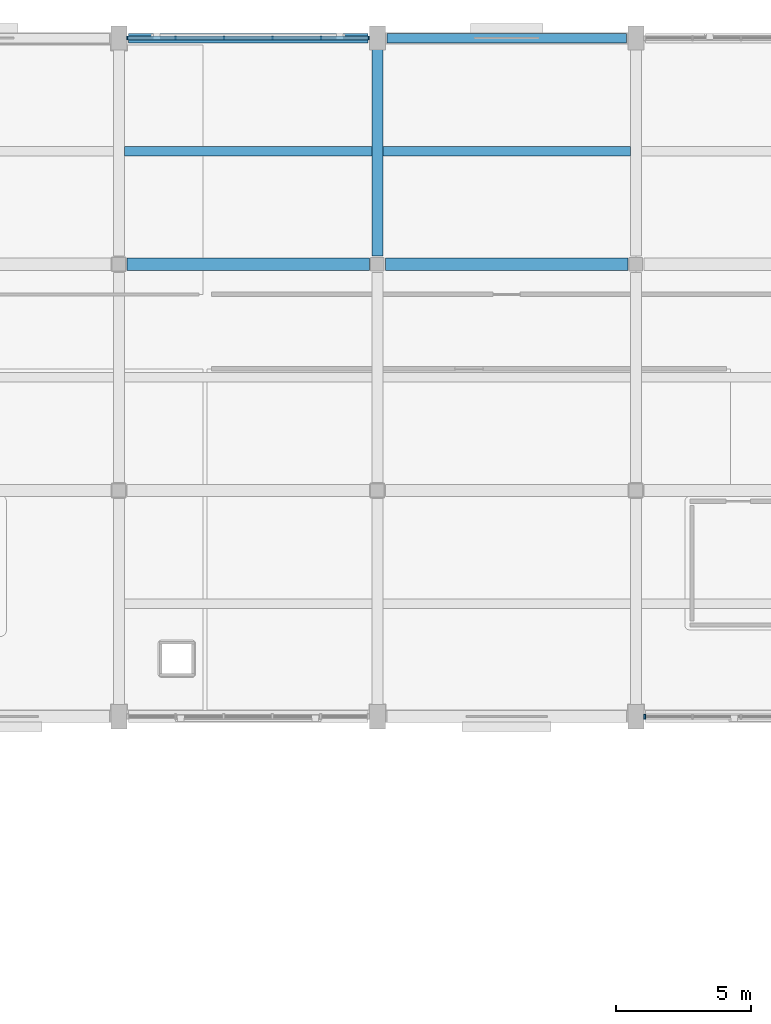
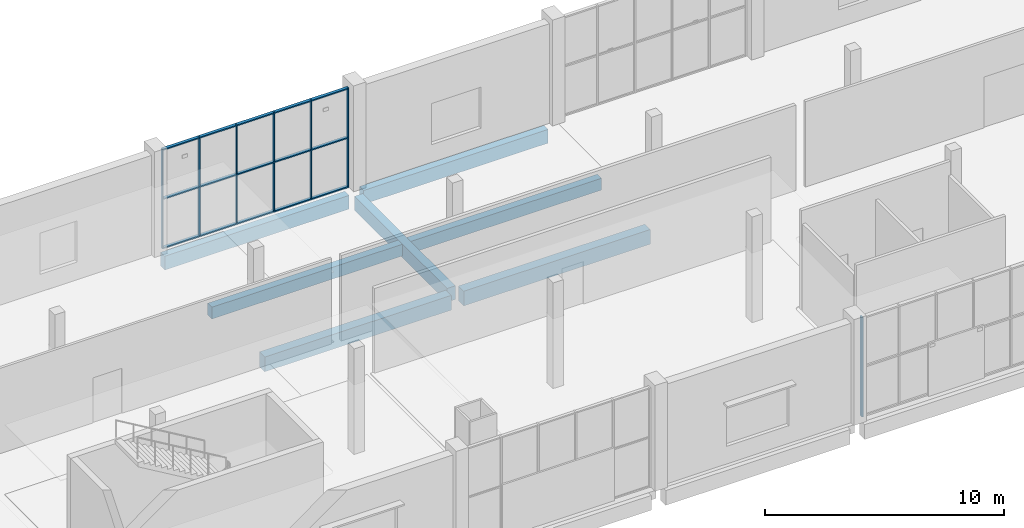
# One storey, part 32 of 83: 10 members, 7 beams, 2 elements without a shape of their own.
"""IFC4 building model written with IfcOpenShell, lengths in metres."""

from ifc_helpers import new_model, si_unit, direction, frame, origin, origin_2d, place, context, subcontext, project, spatial, rectangle, extrude, material, material_profile, profile_set, type_object, element, aggregate, save


model = new_model("IFC4")

# Units and contexts
model_context = context("Model", 3, precision=1e-05, world=origin(), true_north=direction((0.0, 1.0)))
body_context = subcontext(model_context, "Body", "Model", "MODEL_VIEW")
ifc_project = project(units=[si_unit("LENGTHUNIT", "METRE"), si_unit("AREAUNIT", "SQUARE_METRE"), si_unit("VOLUMEUNIT", "CUBIC_METRE"), si_unit("PLANEANGLEUNIT", "RADIAN"), si_unit("MASSUNIT", "GRAM", prefix="KILO")], contexts=[model_context])

# Site, building, storey
site_placement = place(None, origin())
site = spatial("IfcSite", under=ifc_project, at=site_placement, CompositionType="ELEMENT")
building_placement = place(site_placement, origin())
building = spatial("IfcBuilding", under=site, at=building_placement, Name="Shalvenor Court Art Gallery", CompositionType="ELEMENT")
storey_placement = place(building_placement, frame((0.0, 0.0, 6.0)))
storey = spatial("IfcBuildingStorey", under=building, at=storey_placement, Name="L01", CompositionType="ELEMENT", Elevation=6.0)

# Beams
ifc_material_1 = material(Name="Concrete C40/50", Category="concrete")
ifc_material_profile_1 = material_profile(ifc_material_1, rectangle(XDim=0.449951171875, YDim=0.75, at=origin_2d()), Name="RC 450x750")
ifc_profile_set_1 = profile_set([ifc_material_profile_1], Name="Concrete C40/50")
beam_type_1 = type_object("IfcBeamType", Name="B-04", PredefinedType="BEAM", material=ifc_profile_set_1)
for number, where, z_axis, x_axis, name in (
    (1, (77.10009765625, 114.0, -0.695068359375), (1.0, 0.0, 0.0), (0.0, 1.0, 0.0), "L01 Girder BM-L01-B-04-0608"),
    (2, (86.699951171875, 114.0, -0.695068359375), (1.0, 0.0, 0.0), (0.0, 1.0, 0.0), "L01 Girder BM-L01-B-04-0609"),
):
    element("IfcBeam", number, at=place(storey_placement, frame(where, z_axis=z_axis, x_axis=x_axis)), inside=storey, type_object=beam_type_1, Name=name, PredefinedType="BEAM", context=body_context, shape_type="SweptSolid", body=[
        extrude(rectangle(XDim=0.449951171875, YDim=0.75, at=origin_2d()), origin(), (0.0, 0.0, 1.0), 9.0),
    ])
ifc_material_2 = material(Name="Concrete C40/50", Category="concrete")
ifc_material_profile_2 = material_profile(ifc_material_2, rectangle(XDim=0.39990234375, YDim=0.699951171875, at=origin_2d()), Name="RC 400x700")
ifc_profile_set_2 = profile_set([ifc_material_profile_2], Name="Concrete C40/50")
beam_type_2 = type_object("IfcBeamType", Name="B-05", PredefinedType="BEAM", material=ifc_profile_set_2)
beam_1_placement = place(storey_placement, frame((86.39990234375, 114.300048828125, -0.669921875), z_axis=(0.0, 1.0, 0.0), x_axis=(-1.0, 0.0, 0.0)))
element("IfcBeam", 3, at=beam_1_placement, inside=storey, type_object=beam_type_2, Name="L01 Girder BM-L01-B-05-0421", PredefinedType="BEAM", context=body_context, shape_type="SweptSolid", body=[
    extrude(rectangle(XDim=0.39990234375, YDim=0.699951171875, at=origin_2d()), origin(), (0.0, 0.0, 1.0), 7.75),
])

# Curtain wall, member
ifc_material_3 = material(Name="Anodised aluminium and low-iron glass curtain wall", Category="aluminium")
curtain_wall_type_1 = type_object("IfcCurtainWallType", Name="CW-5x2-90-51-142", PredefinedType="USERDEFINED", material=ifc_material_3)
curtain_wall_1_placement = place(storey_placement, origin())
curtain_wall_1 = element("IfcCurtainWall", 4, at=curtain_wall_1_placement, inside=storey, type_object=curtain_wall_type_1, Name="L01 V2 Curtain Wall CW-L01-068", ObjectType="CURTAIN WALL", PredefinedType="USERDEFINED")
ifc_material_4 = material(Name="Anodised aluminium mullion", Category="aluminium")
ifc_material_profile_3 = material_profile(ifc_material_4, rectangle(XDim=0.06494140625, YDim=0.179931640625, at=origin_2d()), Name="CWM-01")
ifc_profile_set_3 = profile_set([ifc_material_profile_3], Name="Anodised aluminium mullion")
member_type_1 = type_object("IfcMemberType", Name="CWM-01", PredefinedType="MULLION", material=ifc_profile_set_3)
member_1_placement = place(storey_placement, frame((96.33251953125, 97.199951171875, 0.0), z_axis=(0.0, 0.0, 1.0), x_axis=(-1.0, 0.0, 0.0)))
member_1 = element("IfcMember", 5, at=member_1_placement, type_object=member_type_1, Name="CW-5x2-90-51-142 mullion 6", PredefinedType="MULLION", context=body_context, shape_type="SweptSolid", body=[
    extrude(rectangle(XDim=0.06494140625, YDim=0.179931640625, at=origin_2d()), origin(), (0.0, 0.0, 1.0), 5.080078125),
])
aggregate(curtain_wall_1, [member_1])

# Curtain wall, members
ifc_material_5 = material(Name="Anodised aluminium and low-iron glass curtain wall", Category="aluminium")
curtain_wall_type_2 = type_object("IfcCurtainWallType", Name="CW-5x2-90-51-612", PredefinedType="USERDEFINED", material=ifc_material_5)
curtain_wall_2_placement = place(storey_placement, origin())
curtain_wall_2 = element("IfcCurtainWall", 6, at=curtain_wall_2_placement, inside=storey, type_object=curtain_wall_type_2, Name="L01 V2 Curtain Wall CW-L01-063", ObjectType="CURTAIN WALL", PredefinedType="USERDEFINED")
ifc_material_6 = material(Name="Anodised aluminium mullion", Category="aluminium")
ifc_material_profile_4 = material_profile(ifc_material_6, rectangle(XDim=0.054931640625, YDim=0.139892578125, at=origin_2d()), Name="CWM-06")
ifc_profile_set_4 = profile_set([ifc_material_profile_4], Name="Anodised aluminium mullion")
member_type_2 = type_object("IfcMemberType", Name="CWM-06", PredefinedType="MULLION", material=ifc_profile_set_4)
member_2_placement = place(storey_placement, frame((77.12744140625, 122.39990234375, 0.0), z_axis=(0.0, 0.0, 1.0), x_axis=(1.0, 0.0, 0.0)))
member_2 = element("IfcMember", 7, at=member_2_placement, type_object=member_type_2, Name="CW-5x2-90-51-612 mullion 1", PredefinedType="MULLION", context=body_context, shape_type="SweptSolid", body=[
    extrude(rectangle(XDim=0.054931640625, YDim=0.139892578125, at=origin_2d()), origin(), (0.0, 0.0, 1.0), 5.080078125),
])
member_3_placement = place(storey_placement, frame((78.89990234375, 122.39990234375, 0.0), z_axis=(0.0, 0.0, 1.0), x_axis=(1.0, 0.0, 0.0)))
member_3 = element("IfcMember", 8, at=member_3_placement, type_object=member_type_2, Name="CW-5x2-90-51-612 mullion 2", PredefinedType="MULLION", context=body_context, shape_type="SweptSolid", body=[
    extrude(rectangle(XDim=0.054931640625, YDim=0.139892578125, at=origin_2d()), origin(), (0.0, 0.0, 1.0), 5.080078125),
])
member_4_placement = place(storey_placement, frame((80.699951171875, 122.39990234375, 0.0), z_axis=(0.0, 0.0, 1.0), x_axis=(1.0, 0.0, 0.0)))
member_4 = element("IfcMember", 9, at=member_4_placement, type_object=member_type_2, Name="CW-5x2-90-51-612 mullion 3", PredefinedType="MULLION", context=body_context, shape_type="SweptSolid", body=[
    extrude(rectangle(XDim=0.054931640625, YDim=0.139892578125, at=origin_2d()), origin(), (0.0, 0.0, 1.0), 5.080078125),
])
member_5_placement = place(storey_placement, frame((82.5, 122.39990234375, 0.0), z_axis=(0.0, 0.0, 1.0), x_axis=(1.0, 0.0, 0.0)))
member_5 = element("IfcMember", 10, at=member_5_placement, type_object=member_type_2, Name="CW-5x2-90-51-612 mullion 4", PredefinedType="MULLION", context=body_context, shape_type="SweptSolid", body=[
    extrude(rectangle(XDim=0.054931640625, YDim=0.139892578125, at=origin_2d()), origin(), (0.0, 0.0, 1.0), 5.080078125),
])
member_6_placement = place(storey_placement, frame((84.300048828125, 122.39990234375, 0.0), z_axis=(0.0, 0.0, 1.0), x_axis=(1.0, 0.0, 0.0)))
member_6 = element("IfcMember", 11, at=member_6_placement, type_object=member_type_2, Name="CW-5x2-90-51-612 mullion 5", PredefinedType="MULLION", context=body_context, shape_type="SweptSolid", body=[
    extrude(rectangle(XDim=0.054931640625, YDim=0.139892578125, at=origin_2d()), origin(), (0.0, 0.0, 1.0), 5.080078125),
])
member_7_placement = place(storey_placement, frame((86.072509765625, 122.39990234375, 0.0), z_axis=(0.0, 0.0, 1.0), x_axis=(1.0, 0.0, 0.0)))
member_7 = element("IfcMember", 12, at=member_7_placement, type_object=member_type_2, Name="CW-5x2-90-51-612 mullion 6", PredefinedType="MULLION", context=body_context, shape_type="SweptSolid", body=[
    extrude(rectangle(XDim=0.054931640625, YDim=0.139892578125, at=origin_2d()), origin(), (0.0, 0.0, 1.0), 5.080078125),
])
ifc_material_7 = material(Name="Anodised aluminium transom", Category="aluminium")
ifc_material_profile_5 = material_profile(ifc_material_7, rectangle(XDim=0.14990234375, YDim=0.06005859375, at=origin_2d()), Name="CWT-01")
ifc_profile_set_5 = profile_set([ifc_material_profile_5], Name="Anodised aluminium transom")
member_type_3 = type_object("IfcMemberType", Name="CWT-01", PredefinedType="USERDEFINED", material=ifc_profile_set_5)
member_8_placement = place(storey_placement, frame((77.12744140625, 122.39990234375, 0.030029296875), z_axis=(1.0, 0.0, 0.0), x_axis=(0.0, 1.0, 0.0)))
member_8 = element("IfcMember", 13, at=member_8_placement, type_object=member_type_3, Name="CW-5x2-90-51-612 transom 1", ObjectType="TRANSOM", PredefinedType="USERDEFINED", context=body_context, shape_type="SweptSolid", body=[
    extrude(rectangle(XDim=0.14990234375, YDim=0.06005859375, at=origin_2d()), origin(), (0.0, 0.0, 1.0), 8.945068359375),
])
member_9_placement = place(storey_placement, frame((77.12744140625, 122.39990234375, 2.5400390625), z_axis=(1.0, 0.0, 0.0), x_axis=(0.0, 1.0, 0.0)))
member_9 = element("IfcMember", 14, at=member_9_placement, type_object=member_type_3, Name="CW-5x2-90-51-612 transom 2", ObjectType="TRANSOM", PredefinedType="USERDEFINED", context=body_context, shape_type="SweptSolid", body=[
    extrude(rectangle(XDim=0.14990234375, YDim=0.06005859375, at=origin_2d()), origin(), (0.0, 0.0, 1.0), 8.945068359375),
])
member_10_placement = place(storey_placement, frame((77.12744140625, 122.39990234375, 5.050048828125), z_axis=(1.0, 0.0, 0.0), x_axis=(0.0, 1.0, 0.0)))
member_10 = element("IfcMember", 15, at=member_10_placement, type_object=member_type_3, Name="CW-5x2-90-51-612 transom 3", ObjectType="TRANSOM", PredefinedType="USERDEFINED", context=body_context, shape_type="SweptSolid", body=[
    extrude(rectangle(XDim=0.14990234375, YDim=0.06005859375, at=origin_2d()), origin(), (0.0, 0.0, 1.0), 8.945068359375),
])
aggregate(curtain_wall_2, [member_2, member_3, member_4, member_5, member_6, member_7, member_8, member_9, member_10])

# Beams
ifc_material_8 = material(Name="Concrete C40/50", Category="concrete")
ifc_material_profile_6 = material_profile(ifc_material_8, rectangle(XDim=0.35009765625, YDim=0.60009765625, at=origin_2d()), Name="RC 350x600")
ifc_profile_set_6 = profile_set([ifc_material_profile_6], Name="Concrete C40/50")
beam_type_3 = type_object("IfcBeamType", Name="J-01", PredefinedType="JOIST", material=ifc_profile_set_6)
for number, where, z_axis, x_axis, name in (
    (16, (77.0, 118.199951171875, -0.6201171875), (1.0, 0.0, 0.0), (0.0, 1.0, 0.0), "L01 Secondary Beam JST-L01-J-01-0652"),
    (17, (86.60009765625, 118.199951171875, -0.6201171875), (1.0, 0.0, 0.0), (0.0, 1.0, 0.0), "L01 Secondary Beam JST-L01-J-01-0655"),
):
    element("IfcBeam", number, at=place(storey_placement, frame(where, z_axis=z_axis, x_axis=x_axis)), inside=storey, type_object=beam_type_3, Name=name, PredefinedType="JOIST", context=body_context, shape_type="SweptSolid", body=[
        extrude(rectangle(XDim=0.35009765625, YDim=0.60009765625, at=origin_2d()), origin(), (0.0, 0.0, 1.0), 9.199951171875),
    ])
ifc_material_9 = material(Name="Concrete C40/50", Category="concrete")
ifc_material_profile_7 = material_profile(ifc_material_9, rectangle(XDim=0.35009765625, YDim=0.699951171875, at=origin_2d()), Name="RC 350x700")
ifc_profile_set_7 = profile_set([ifc_material_profile_7], Name="Concrete C40/50")
beam_type_4 = type_object("IfcBeamType", Name="SP-01", PredefinedType="SPANDREL", material=ifc_profile_set_7)
beam_2_placement = place(storey_placement, frame((77.14990234375, 122.39990234375, -0.669921875), z_axis=(1.0, 0.0, 0.0), x_axis=(0.0, 1.0, 0.0)))
element("IfcBeam", 18, at=beam_2_placement, inside=storey, type_object=beam_type_4, Name="L01 Spandrel Girder BM-L01-SP-01-0619", PredefinedType="SPANDREL", context=body_context, shape_type="SweptSolid", body=[
    extrude(rectangle(XDim=0.35009765625, YDim=0.699951171875, at=origin_2d()), origin(), (0.0, 0.0, 1.0), 8.900146484375),
])
beam_3_placement = place(storey_placement, frame((86.75, 122.39990234375, -0.669921875), z_axis=(1.0, 0.0, 0.0), x_axis=(0.0, 1.0, 0.0)))
element("IfcBeam", 19, at=beam_3_placement, inside=storey, type_object=beam_type_4, Name="L01 Spandrel Girder BM-L01-SP-01-0620", PredefinedType="SPANDREL", context=body_context, shape_type="SweptSolid", body=[
    extrude(rectangle(XDim=0.35009765625, YDim=0.699951171875, at=origin_2d()), origin(), (0.0, 0.0, 1.0), 8.89990234375),
])

save(model, "model.ifc")
